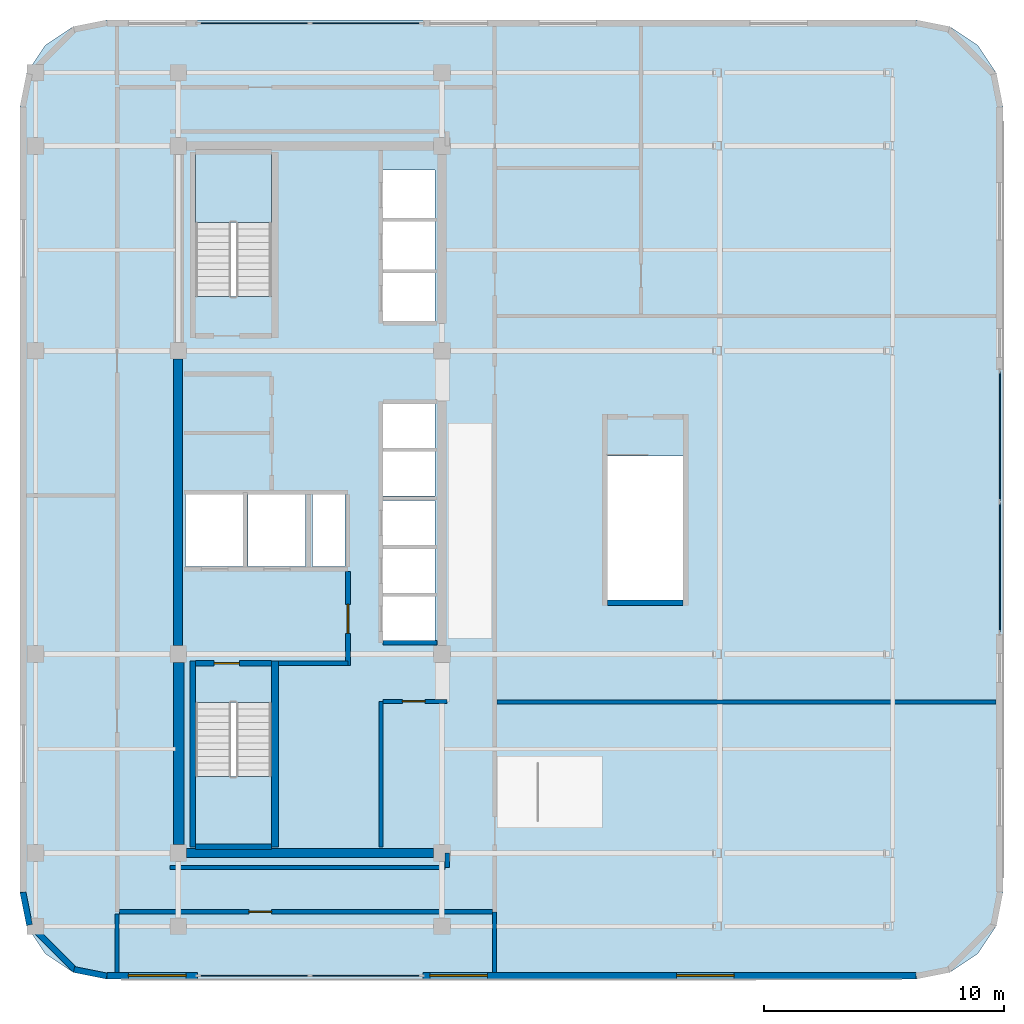
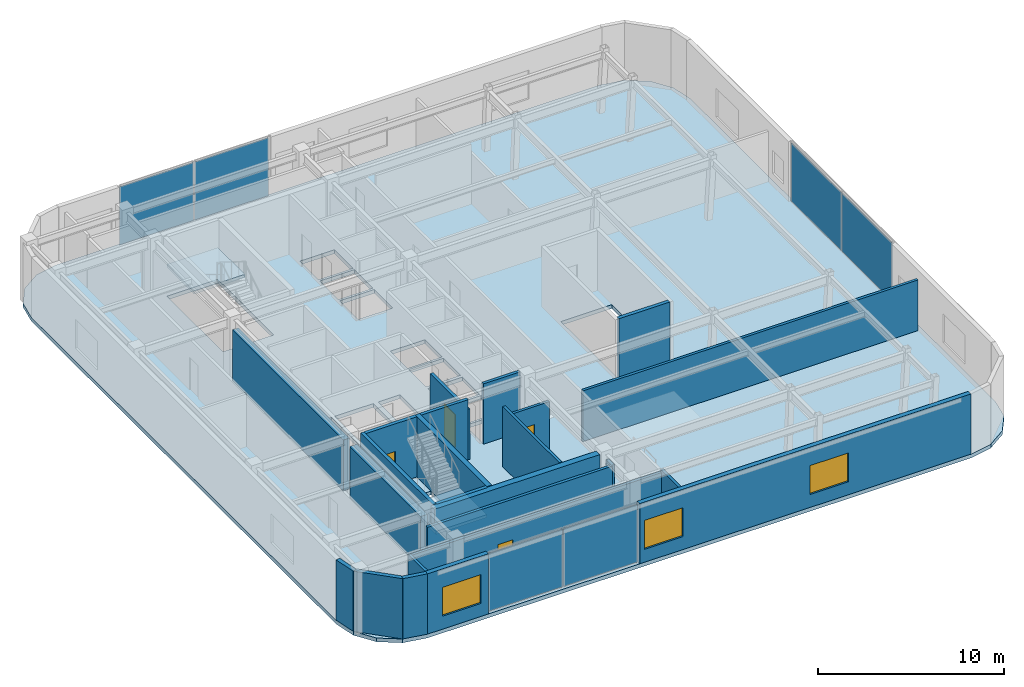
# One storey, part 5 of 11: 24 walls, 6 plates, 4 doors, 3 slabs, 3 windows, 7 openings, 5 elements without a shape of their own.
"""IFC4 building model written with IfcOpenShell, lengths in metres."""

from ifc_helpers import new_model, si_unit, direction, frame, frame_2d, origin, origin_2d, place, context, subcontext, project, spatial, polyline, rectangle, outline, extrude, material, layer, layer_set, type_object, element, fill, aggregate, save


model = new_model("IFC4")

# Units and contexts
model_context = context("Model", 3, precision=1e-05, world=origin(), true_north=direction((0.0, 1.0)))
body_context = subcontext(model_context, "Body", "Model", "MODEL_VIEW")
ifc_project = project(units=[si_unit("LENGTHUNIT", "METRE"), si_unit("AREAUNIT", "SQUARE_METRE"), si_unit("VOLUMEUNIT", "CUBIC_METRE"), si_unit("PLANEANGLEUNIT", "RADIAN"), si_unit("MASSUNIT", "GRAM", prefix="KILO")], contexts=[model_context])

# Site, building, storey
site_placement = place(None, origin())
site = spatial("IfcSite", under=ifc_project, at=site_placement, CompositionType="ELEMENT")
building_placement = place(site_placement, origin())
building = spatial("IfcBuilding", under=site, at=building_placement, Name="Ochreholt Gables", CompositionType="ELEMENT")
storey_placement = place(building_placement, frame((0.0, 0.0, 192.0)))
storey = spatial("IfcBuildingStorey", under=building, at=storey_placement, Name="L50", CompositionType="ELEMENT", Elevation=192.0)

# Curtain wall, plates
ifc_material_1 = material(Name="Unitised Aluminium and Triple Glazing", Category="aluminium")
ifc_layer_1 = layer(ifc_material_1, 0.219970703125, Name="Unitised Aluminium and Triple Glazing")
ifc_layer_set_1 = layer_set([ifc_layer_1], Name="Unitised Aluminium and Triple Glazing")
curtain_wall_type = type_object("IfcCurtainWallType", Name="CW-SYS6", PredefinedType="NOTDEFINED", material=ifc_layer_set_1)
curtain_wall_1_placement = place(storey_placement, origin())
curtain_wall_1 = element("IfcCurtainWall", 1, at=curtain_wall_1_placement, inside=storey, type_object=curtain_wall_type, Name="L50 South Unitised Curtain Wall", PredefinedType="NOTDEFINED")
ifc_material_2 = material(Name="Triple Low-E Insulating Glass", Category="glass")
ifc_layer_2 = layer(ifc_material_2, 0.0419921875, Name="Triple Low-E Insulating Glass")
ifc_layer_set_2 = layer_set([ifc_layer_2], Name="Triple Low-E Insulating Glass")
plate_type = type_object("IfcPlateType", Name="CW-PNL-42", PredefinedType="CURTAIN_PANEL", material=ifc_layer_set_2)
plate_1_placement = place(storey_placement, frame((27.36865234375, 4.139892578125, 0.074951171875), z_axis=(0.0, 0.0, 1.0), x_axis=(1.0, 0.0, 0.0)))
plate_1 = element("IfcPlate", 2, at=plate_1_placement, type_object=plate_type, Name="CW-6 panel 1.1", PredefinedType="CURTAIN_PANEL", context=body_context, shape_type="SweptSolid", body=[
    extrude(rectangle(XDim=4.58740234375, YDim=0.0419921875, at=origin_2d()), origin(), (0.0, 0.0, 1.0), 3.81005859375),
])
plate_2_placement = place(storey_placement, frame((32.03125, 4.139892578125, 0.074951171875), z_axis=(0.0, 0.0, 1.0), x_axis=(1.0, 0.0, 0.0)))
plate_2 = element("IfcPlate", 3, at=plate_2_placement, type_object=plate_type, Name="CW-6 panel 2.1", PredefinedType="CURTAIN_PANEL", context=body_context, shape_type="SweptSolid", body=[
    extrude(rectangle(XDim=4.58740234375, YDim=0.0419921875, at=origin_2d()), origin(), (0.0, 0.0, 1.0), 3.81005859375),
])
aggregate(curtain_wall_1, [plate_1, plate_2])

curtain_wall_2_placement = place(storey_placement, origin())
curtain_wall_2 = element("IfcCurtainWall", 4, at=curtain_wall_2_placement, inside=storey, type_object=curtain_wall_type, Name="L50 East Unitised Curtain Wall", PredefinedType="NOTDEFINED")
plate_3_placement = place(storey_placement, frame((58.4599609375, 21.168701171875, 0.074951171875), z_axis=(0.0, 0.0, 1.0), x_axis=(0.0, 1.0, 0.0)))
plate_3 = element("IfcPlate", 5, at=plate_3_placement, type_object=plate_type, Name="CW-6 panel 1.1", PredefinedType="CURTAIN_PANEL", context=body_context, shape_type="SweptSolid", body=[
    extrude(rectangle(XDim=5.387451171875, YDim=0.0419921875, at=origin_2d()), origin(), (0.0, 0.0, 1.0), 3.81005859375),
])
plate_4_placement = place(storey_placement, frame((58.4599609375, 26.63134765625, 0.074951171875), z_axis=(0.0, 0.0, 1.0), x_axis=(0.0, 1.0, 0.0)))
plate_4 = element("IfcPlate", 6, at=plate_4_placement, type_object=plate_type, Name="CW-6 panel 2.1", PredefinedType="CURTAIN_PANEL", context=body_context, shape_type="SweptSolid", body=[
    extrude(rectangle(XDim=5.387451171875, YDim=0.0419921875, at=origin_2d()), origin(), (0.0, 0.0, 1.0), 3.81005859375),
])
aggregate(curtain_wall_2, [plate_3, plate_4])

curtain_wall_3_placement = place(storey_placement, origin())
curtain_wall_3 = element("IfcCurtainWall", 7, at=curtain_wall_3_placement, inside=storey, type_object=curtain_wall_type, Name="L50 North Unitised Curtain Wall", PredefinedType="NOTDEFINED")
plate_5_placement = place(storey_placement, frame((32.03125, 43.860107421875, 0.074951171875), z_axis=(0.0, 0.0, 1.0), x_axis=(-1.0, 0.0, 0.0)))
plate_5 = element("IfcPlate", 8, at=plate_5_placement, type_object=plate_type, Name="CW-6 panel 1.1", PredefinedType="CURTAIN_PANEL", context=body_context, shape_type="SweptSolid", body=[
    extrude(rectangle(XDim=4.58740234375, YDim=0.0419921875, at=origin_2d()), origin(), (0.0, 0.0, 1.0), 3.81005859375),
])
plate_6_placement = place(storey_placement, frame((27.36865234375, 43.860107421875, 0.074951171875), z_axis=(0.0, 0.0, 1.0), x_axis=(-1.0, 0.0, 0.0)))
plate_6 = element("IfcPlate", 9, at=plate_6_placement, type_object=plate_type, Name="CW-6 panel 2.1", PredefinedType="CURTAIN_PANEL", context=body_context, shape_type="SweptSolid", body=[
    extrude(rectangle(XDim=4.58740234375, YDim=0.0419921875, at=origin_2d()), origin(), (0.0, 0.0, 1.0), 3.81005859375),
])
aggregate(curtain_wall_3, [plate_5, plate_6])

# Stair, slab
ifc_material_3 = material(Name="Concrete 40 MPa", Category="concrete")
stair_type_1 = type_object("IfcStairType", Name="STAIR-CORE-ST-1", PredefinedType="HALF_TURN_STAIR", material=ifc_material_3)
stair_1_placement = place(storey_placement, origin())
stair_1 = element("IfcStair", 10, at=stair_1_placement, inside=storey, type_object=stair_type_1, Name="L50 Core Exit Stair 1", PredefinedType="HALF_TURN_STAIR")
ifc_layer_3 = layer(ifc_material_3, 0.199951171875, Name="Concrete 40 MPa")
ifc_layer_set_3 = layer_set([ifc_layer_3], Name="Concrete 40 MPa")
slab_type_1 = type_object("IfcSlabType", Name="LANDING-RC200", PredefinedType="LANDING", material=ifc_layer_set_3)
slab_1_placement = place(storey_placement, frame((0.0, 0.0, 1.89990234375)))
slab_1 = element("IfcSlab", 11, at=slab_1_placement, type_object=slab_type_1, Name="ST-1 landing 1", PredefinedType="LANDING", context=body_context, shape_type="SweptSolid", body=[
    extrude(outline(polyline([(24.919921875, 12.43798828125), (24.919921875, 9.52001953125), (28.080078125, 9.52001953125), (28.080078125, 12.43798828125), (24.919921875, 12.43798828125)])), origin(), (0.0, 0.0, 1.0), 0.2001953125),
])
aggregate(stair_1, [slab_1])

stair_type_2 = type_object("IfcStairType", Name="STAIR-CORE-ST-2", PredefinedType="HALF_TURN_STAIR", material=ifc_material_3)
stair_2_placement = place(storey_placement, origin())
stair_2 = element("IfcStair", 12, at=stair_2_placement, inside=storey, type_object=stair_type_2, Name="L50 Core Exit Stair 2", PredefinedType="HALF_TURN_STAIR")
slab_2_placement = place(storey_placement, frame((0.0, 0.0, 1.89990234375)))
slab_2 = element("IfcSlab", 13, at=slab_2_placement, type_object=slab_type_1, Name="ST-2 landing 1", PredefinedType="LANDING", context=body_context, shape_type="SweptSolid", body=[
    extrude(outline(polyline([(28.080078125, 35.56201171875), (28.080078125, 38.47998046875), (24.919921875, 38.47998046875), (24.919921875, 35.56201171875), (28.080078125, 35.56201171875)])), origin(), (0.0, 0.0, 1.0), 0.2001953125),
])
aggregate(stair_2, [slab_2])

# Slab
ifc_layer_4 = layer(ifc_material_3, 0.25, Name="Concrete 40 MPa")
ifc_layer_set_4 = layer_set([ifc_layer_4], Name="Concrete 40 MPa")
slab_type_2 = type_object("IfcSlabType", Name="SLAB-COM-250", PredefinedType="FLOOR", material=ifc_layer_set_4)
slab_3_placement = place(storey_placement, frame((0.0, 0.0, -0.25)))
element("IfcSlab", 14, at=slab_3_placement, inside=storey, type_object=slab_type_2, Name="L50 Structural Floor Slab", PredefinedType="FLOOR", context=body_context, shape_type="SweptSolid", body=[
    extrude(outline(polyline([(17.60009765625, 7.60009765625), (17.8740234375, 6.222412109375), (18.654296875, 5.054443359375), (19.822265625, 4.27392578125), (21.199951171875, 4.0), (55.0, 4.0), (56.377685546875, 4.27392578125), (57.545654296875, 5.054443359375), (58.325927734375, 6.222412109375), (58.60009765625, 7.60009765625), (58.60009765625, 40.39990234375), (58.325927734375, 41.777587890625), (57.545654296875, 42.945556640625), (56.377685546875, 43.72607421875), (55.0, 44.0), (21.199951171875, 44.0), (19.822265625, 43.72607421875), (18.654296875, 42.945556640625), (17.8740234375, 41.777587890625), (17.60009765625, 40.39990234375), (17.60009765625, 7.60009765625)]), holes=[polyline([(24.919921875, 15.539306640625), (24.919921875, 9.52001953125), (28.080078125, 9.52001953125), (28.080078125, 15.539306640625), (24.919921875, 15.539306640625)]), polyline([(28.080078125, 32.460693359375), (28.080078125, 38.47998046875), (24.919921875, 38.47998046875), (24.919921875, 32.460693359375), (28.080078125, 32.460693359375)]), polyline([(42.10009765625, 25.819091796875), (42.10009765625, 19.800048828125), (45.260009765625, 19.800048828125), (45.260009765625, 25.819091796875), (42.10009765625, 25.819091796875)]), polyline([(24.5, 21.199951171875), (26.89990234375, 21.199951171875), (26.89990234375, 24.199951171875), (24.5, 24.199951171875), (24.5, 21.199951171875)]), polyline([(27.10009765625, 21.199951171875), (29.5, 21.199951171875), (29.5, 24.199951171875), (27.10009765625, 24.199951171875), (27.10009765625, 21.199951171875)]), polyline([(32.75, 18.10009765625), (34.89990234375, 18.10009765625), (34.89990234375, 19.949951171875), (32.75, 19.949951171875), (32.75, 18.10009765625)]), polyline([(32.75, 20.10009765625), (34.89990234375, 20.10009765625), (34.89990234375, 21.949951171875), (32.75, 21.949951171875), (32.75, 20.10009765625)]), polyline([(32.75, 22.10009765625), (34.89990234375, 22.10009765625), (34.89990234375, 23.949951171875), (32.75, 23.949951171875), (32.75, 22.10009765625)]), polyline([(32.75, 24.14990234375), (34.89990234375, 24.14990234375), (34.89990234375, 26.0), (32.75, 26.0), (32.75, 24.14990234375)]), polyline([(32.75, 26.14990234375), (34.89990234375, 26.14990234375), (34.89990234375, 28.0), (32.75, 28.0), (32.75, 26.14990234375)]), polyline([(32.75, 31.449951171875), (34.89990234375, 31.449951171875), (34.89990234375, 33.449951171875), (32.75, 33.449951171875), (32.75, 31.449951171875)]), polyline([(32.75, 33.60009765625), (34.89990234375, 33.60009765625), (34.89990234375, 35.60009765625), (32.75, 35.60009765625), (32.75, 33.60009765625)]), polyline([(32.75, 35.75), (34.89990234375, 35.75), (34.89990234375, 37.75), (32.75, 37.75), (32.75, 35.75)]), polyline([(29.800048828125, 21.199951171875), (31.14990234375, 21.199951171875), (31.14990234375, 24.199951171875), (29.800048828125, 24.199951171875), (29.800048828125, 21.199951171875)])]), origin(), (0.0, 0.0, 1.0), 0.25),
])

# Walls
ifc_material_4 = material(Name="Concrete 50 MPa", Category="concrete")
ifc_layer_5 = layer(ifc_material_4, 0.3798828125, Name="Concrete 50 MPa")
ifc_layer_set_5 = layer_set([ifc_layer_5], Name="Concrete 50 MPa")
wall_type_1 = type_object("IfcWallType", Name="WALL-CSW-380", PredefinedType="SHEAR", material=ifc_layer_set_5)
wall_1_placement = place(storey_placement, frame((24.18994140625, 17.89990234375, 0.0), z_axis=(0.0, 0.0, 1.0), x_axis=(0.0, 1.0, 0.0)))
element("IfcWall", 15, at=wall_1_placement, inside=storey, type_object=wall_type_1, Name="L50 Core West Shear Wall WM", PredefinedType="SHEAR", context=body_context, shape_type="SweptSolid", body=[
    extrude(rectangle(XDim=11.9501953125, YDim=0.3798828125, at=frame_2d((5.97509765625, 0.0))), origin(), (0.0, 0.0, 1.0), 3.347900390625),
])
wall_2_placement = place(storey_placement, frame((24.550048828125, 9.25, 0.0), z_axis=(0.0, 0.0, 1.0), x_axis=(1.0, 0.0, 0.0)))
element("IfcWall", 16, at=wall_2_placement, inside=storey, type_object=wall_type_1, Name="L50 Core South Shear Wall", PredefinedType="SHEAR", context=body_context, shape_type="SweptSolid", body=[
    extrude(rectangle(XDim=10.300048828125, YDim=0.3798828125, at=frame_2d((5.14990234375, 0.0))), origin(), (0.0, 0.0, 1.0), 3.9599609375),
])
ifc_material_5 = material(Name="Concrete 60 MPa", Category="concrete")
ifc_layer_6 = layer(ifc_material_5, 0.449951171875, Name="Concrete 60 MPa")
ifc_layer_set_6 = layer_set([ifc_layer_6], Name="Concrete 60 MPa")
wall_type_2 = type_object("IfcWallType", Name="WALL-CSW-450", PredefinedType="SHEAR", material=ifc_layer_set_6)
wall_3_placement = place(storey_placement, frame((24.22509765625, 9.60009765625, 0.0), z_axis=(0.0, 0.0, 1.0), x_axis=(0.0, 1.0, 0.0)))
element("IfcWall", 17, at=wall_3_placement, inside=storey, type_object=wall_type_2, Name="L50 Core West Shear Wall WS", PredefinedType="SHEAR", context=body_context, shape_type="SweptSolid", body=[
    extrude(rectangle(XDim=7.599853515625, YDim=0.449951171875, at=frame_2d((3.7998046875, 0.0))), origin(), (0.0, 0.0, 1.0), 3.347900390625),
])

# Wall, opening, window
ifc_material_6 = material(Name="Precast concrete 40 MPa", Category="concrete")
ifc_layer_7 = layer(ifc_material_6, 0.280029296875, Name="Precast concrete 40 MPa")
ifc_layer_set_7 = layer_set([ifc_layer_7], Name="Precast concrete 40 MPa")
wall_type_3 = type_object("IfcWallType", Name="WALL-EXT-280", PredefinedType="SOLIDWALL", material=ifc_layer_set_7)
wall_4_placement = place(storey_placement, frame((21.219970703125, 4.139892578125, 0.0), z_axis=(0.0, 0.0, 1.0), x_axis=(1.0, 0.0, 0.0)))
wall_4 = element("IfcWall", 18, at=wall_4_placement, inside=storey, type_object=wall_type_3, Name="L50 South Facade Wall 1", PredefinedType="SOLIDWALL", context=body_context, shape_type="SweptSolid", body=[
    extrude(rectangle(XDim=3.780029296875, YDim=0.280029296875, at=frame_2d((1.89013671875, 0.0))), origin(), (0.0, 0.0, 1.0), 3.9599609375),
])
opening_1_placement = place(wall_4_placement, frame((0.905029296875, 0.0, 0.85009765625)))
opening_1 = element("IfcOpeningElement", 19, at=opening_1_placement, cuts=wall_4, Name="Opening WN-5", PredefinedType="OPENING", context=body_context, shape_type="SweptSolid", body=[
    extrude(rectangle(XDim=2.39990234375, YDim=1.89990234375, at=frame_2d((1.199951171875, 0.949951171875))), frame((0.0, 0.14990234375, 0.0), z_axis=(0.0, -1.0, 0.0), x_axis=(1.0, 0.0, 0.0)), (0.0, 0.0, 1.0), 0.300048828125),
])
ifc_material_7 = material(Name="Triple-Glazed Thermally Broken Aluminium Window", Category="aluminium")
window_type = type_object("IfcWindowType", Name="WIN-COM-2400", PartitioningType="SINGLE_PANEL", PredefinedType="WINDOW", material=ifc_material_7)
window_1_placement = place(opening_1_placement, origin())
window_1 = element("IfcWindow", 20, at=window_1_placement, inside=storey, type_object=window_type, Name="L50 Window W-EXT-S1-L50-1", OverallHeight=1.89990234375, OverallWidth=2.39990234375, PartitioningType="SINGLE_PANEL", PredefinedType="WINDOW", context=body_context, shape_type="SweptSolid", body=[
    extrude(rectangle(XDim=2.39990234375, YDim=1.89990234375, at=frame_2d((1.199951171875, 0.949951171875))), frame((0.0, 0.030029296875, 0.0), z_axis=(0.0, -1.0, 0.0), x_axis=(1.0, 0.0, 0.0)), (0.0, 0.0, 1.0), 0.06005859375),
])
fill(opening_1, window_1)

# Wall, openings, windows
wall_5_placement = place(storey_placement, frame((34.39990234375, 4.139892578125, 0.0), z_axis=(0.0, 0.0, 1.0), x_axis=(1.0, 0.0, 0.0)))
wall_5 = element("IfcWall", 21, at=wall_5_placement, inside=storey, type_object=wall_type_3, Name="L50 South Facade Wall 2", PredefinedType="SOLIDWALL", context=body_context, shape_type="SweptSolid", body=[
    extrude(rectangle(XDim=20.580078125, YDim=0.280029296875, at=frame_2d((10.2900390625, 0.0))), origin(), (0.0, 0.0, 1.0), 3.9599609375),
])
opening_2_placement = place(wall_5_placement, frame((0.300048828125, 0.0, 0.85009765625)))
opening_2 = element("IfcOpeningElement", 22, at=opening_2_placement, cuts=wall_5, Name="Opening WN-5", PredefinedType="OPENING", context=body_context, shape_type="SweptSolid", body=[
    extrude(rectangle(XDim=2.39990234375, YDim=1.89990234375, at=frame_2d((1.199951171875, 0.949951171875))), frame((0.0, 0.14990234375, 0.0), z_axis=(0.0, -1.0, 0.0), x_axis=(1.0, 0.0, 0.0)), (0.0, 0.0, 1.0), 0.300048828125),
])
opening_3_placement = place(wall_5_placement, frame((10.590087890625, 0.0, 0.85009765625)))
opening_3 = element("IfcOpeningElement", 23, at=opening_3_placement, cuts=wall_5, Name="Opening WN-5", PredefinedType="OPENING", context=body_context, shape_type="SweptSolid", body=[
    extrude(rectangle(XDim=2.39990234375, YDim=1.89990234375, at=frame_2d((1.199951171875, 0.949951171875))), frame((0.0, 0.14990234375, 0.0), z_axis=(0.0, -1.0, 0.0), x_axis=(1.0, 0.0, 0.0)), (0.0, 0.0, 1.0), 0.300048828125),
])
window_2_placement = place(opening_2_placement, origin())
window_2 = element("IfcWindow", 24, at=window_2_placement, inside=storey, type_object=window_type, Name="L50 Window W-EXT-S2-L50-1", OverallHeight=1.89990234375, OverallWidth=2.39990234375, PartitioningType="SINGLE_PANEL", PredefinedType="WINDOW", context=body_context, shape_type="SweptSolid", body=[
    extrude(rectangle(XDim=2.39990234375, YDim=1.89990234375, at=frame_2d((1.199951171875, 0.949951171875))), frame((0.0, 0.030029296875, 0.0), z_axis=(0.0, -1.0, 0.0), x_axis=(1.0, 0.0, 0.0)), (0.0, 0.0, 1.0), 0.06005859375),
])
fill(opening_2, window_2)
window_3_placement = place(opening_3_placement, origin())
window_3 = element("IfcWindow", 25, at=window_3_placement, inside=storey, type_object=window_type, Name="L50 Window W-EXT-S2-L50-2", OverallHeight=1.89990234375, OverallWidth=2.39990234375, PartitioningType="SINGLE_PANEL", PredefinedType="WINDOW", context=body_context, shape_type="SweptSolid", body=[
    extrude(rectangle(XDim=2.39990234375, YDim=1.89990234375, at=frame_2d((1.199951171875, 0.949951171875))), frame((0.0, 0.030029296875, 0.0), z_axis=(0.0, -1.0, 0.0), x_axis=(1.0, 0.0, 0.0)), (0.0, 0.0, 1.0), 0.06005859375),
])
fill(opening_3, window_3)

# Walls
ifc_layer_8 = layer(ifc_material_6, 0.25, Name="Precast concrete 40 MPa")
ifc_layer_set_8 = layer_set([ifc_layer_8], Name="Precast concrete 40 MPa")
wall_type_4 = type_object("IfcWallType", Name="WALL-EXT-CNR", PredefinedType="SOLIDWALL", material=ifc_layer_set_8)
wall_6_placement = place(storey_placement, frame((17.72412109375, 7.616455078125, 0.0), z_axis=(0.0, 0.0, 1.0), x_axis=(0.195135625965, -0.9807762678, 0.0)))
element("IfcWall", 26, at=wall_6_placement, inside=storey, type_object=wall_type_4, Name="L50 Rounded Corner Wall SW-1", PredefinedType="SOLIDWALL", context=body_context, shape_type="SweptSolid", body=[
    extrude(rectangle(XDim=1.388671875, YDim=0.25, at=frame_2d((0.6943359375, 0.0))), origin(), (0.0, 0.0, 1.0), 3.9599609375),
])
wall_7_placement = place(storey_placement, frame((17.968017578125, 6.304931640625, 0.0), z_axis=(0.0, 0.0, 1.0), x_axis=(0.707106781187, -0.707106781187, 0.0)))
element("IfcWall", 27, at=wall_7_placement, inside=storey, type_object=wall_type_4, Name="L50 Rounded Corner Wall SW-2", PredefinedType="SOLIDWALL", context=body_context, shape_type="SweptSolid", body=[
    extrude(rectangle(XDim=2.7392578125, YDim=0.25, at=frame_2d((1.36962890625, 0.0))), origin(), (0.0, 0.0, 1.0), 3.9599609375),
])
wall_8_placement = place(storey_placement, frame((19.8544921875, 4.39501953125, 0.0), z_axis=(0.0, 0.0, 1.0), x_axis=(0.980809899341, -0.19496651342, 0.0)))
element("IfcWall", 28, at=wall_8_placement, inside=storey, type_object=wall_type_4, Name="L50 Rounded Corner Wall SW-3", PredefinedType="SOLIDWALL", context=body_context, shape_type="SweptSolid", body=[
    extrude(rectangle(XDim=1.388671875, YDim=0.25, at=frame_2d((0.6943359375, 0.0))), origin(), (0.0, 0.0, 1.0), 3.9599609375),
])
ifc_layer_9 = layer(ifc_material_3, 0.199951171875, Name="Concrete 40 MPa")
ifc_layer_set_9 = layer_set([ifc_layer_9], Name="Concrete 40 MPa")
wall_type_5 = type_object("IfcWallType", Name="WALL-INT-CF200", PredefinedType="STANDARD", material=ifc_layer_set_9)
wall_9_placement = place(storey_placement, frame((28.3798828125, 17.169921875, 0.0), z_axis=(0.0, 0.0, 1.0), x_axis=(1.0, 0.0, 0.0)))
element("IfcWall", 29, at=wall_9_placement, inside=storey, type_object=wall_type_5, Name="L50 Interior Wall WI-FFS-L50", PredefinedType="STANDARD", context=body_context, shape_type="SweptSolid", body=[
    extrude(rectangle(XDim=2.900146484375, YDim=0.199951171875, at=frame_2d((1.4501953125, 0.0))), origin(), (0.0, 0.0, 1.0), 3.9599609375),
])

# Wall, opening, door
wall_10_placement = place(storey_placement, frame((31.280029296875, 17.070068359375, 0.0), z_axis=(0.0, 0.0, 1.0), x_axis=(0.0, 1.0, 0.0)))
wall_10 = element("IfcWall", 30, at=wall_10_placement, inside=storey, type_object=wall_type_5, Name="L50 Interior Wall WI-FFE-L50", PredefinedType="STANDARD", context=body_context, shape_type="SweptSolid", body=[
    extrude(rectangle(XDim=3.919921875, YDim=0.199951171875, at=frame_2d((1.9599609375, 0.0))), origin(), (0.0, 0.0, 1.0), 3.330078125),
])
opening_4_placement = place(wall_10_placement, frame((1.35009765625, 0.0, 0.0)))
opening_4 = element("IfcOpeningElement", 31, at=opening_4_placement, cuts=wall_10, Name="Opening D-FFL", PredefinedType="OPENING", context=body_context, shape_type="SweptSolid", body=[
    extrude(rectangle(XDim=1.199951171875, YDim=2.14990234375, at=frame_2d((0.60009765625, 1.074951171875))), frame((0.0, 0.10986328125, 0.0), z_axis=(0.0, -1.0, 0.0), x_axis=(1.0, 0.0, 0.0)), (0.0, 0.0, 1.0), 0.219970703125),
])
ifc_material_8 = material(Name="Hollow Metal Steel", Category="steel")
door_type_1 = type_object("IfcDoorType", Name="DR-INT-FFL1200", OperationType="NOTDEFINED", PredefinedType="DOOR", material=ifc_material_8)
door_1_placement = place(opening_4_placement, origin())
door_1 = element("IfcDoor", 32, at=door_1_placement, inside=storey, type_object=door_type_1, Name="L50 Door D-FFL-L50", OperationType="SINGLE_SWING_LEFT", OverallHeight=2.14990234375, OverallWidth=1.199951171875, PredefinedType="DOOR", context=body_context, shape_type="SweptSolid", body=[
    extrude(rectangle(XDim=1.199951171875, YDim=2.14990234375, at=frame_2d((0.60009765625, 1.074951171875))), frame((0.0, 0.02490234375, 0.0), z_axis=(0.0, -1.0, 0.0), x_axis=(1.0, 0.0, 0.0)), (0.0, 0.0, 1.0), 0.050048828125),
])
fill(opening_4, door_1)

# Wall
ifc_material_9 = material(Name="Fire-Rated Gypsum Acoustic Partition", Category="gypsum")
ifc_layer_10 = layer(ifc_material_9, 0.179931640625, Name="Fire-Rated Gypsum Acoustic Partition")
ifc_layer_set_10 = layer_set([ifc_layer_10], Name="Fire-Rated Gypsum Acoustic Partition")
wall_type_6 = type_object("IfcWallType", Name="WALL-INT-CR180", PredefinedType="STANDARD", material=ifc_layer_set_10)
wall_11_placement = place(storey_placement, frame((35.419921875, 8.64990234375, 0.0), z_axis=(0.0, 0.0, 1.0), x_axis=(0.0, 1.0, 0.0)))
element("IfcWall", 33, at=wall_11_placement, inside=storey, type_object=wall_type_6, Name="L50 Interior Wall WI-CMCSW1-L50", PredefinedType="STANDARD", context=body_context, shape_type="SweptSolid", body=[
    extrude(rectangle(XDim=0.60009765625, YDim=0.179931640625, at=frame_2d((0.300048828125, 0.0))), origin(), (0.0, 0.0, 1.0), 3.330078125),
])

# Wall, opening, door
wall_12_placement = place(storey_placement, frame((21.739990234375, 6.800048828125, 0.0), z_axis=(0.0, 0.0, 1.0), x_axis=(1.0, 0.0, 0.0)))
wall_12 = element("IfcWall", 34, at=wall_12_placement, inside=storey, type_object=wall_type_6, Name="L50 Interior Wall WI-CMCS-L50", PredefinedType="STANDARD", context=body_context, shape_type="SweptSolid", body=[
    extrude(rectangle(XDim=15.570068359375, YDim=0.179931640625, at=frame_2d((7.78515625, 0.0))), origin(), (0.0, 0.0, 1.0), 3.330078125),
])
opening_5_placement = place(wall_12_placement, frame((5.409912109375, 0.0, 0.0)))
opening_5 = element("IfcOpeningElement", 35, at=opening_5_placement, cuts=wall_12, Name="Opening D-GN1", PredefinedType="OPENING", context=body_context, shape_type="SweptSolid", body=[
    extrude(rectangle(XDim=0.949951171875, YDim=2.14990234375, at=frame_2d((0.47509765625, 1.074951171875))), frame((0.0, 0.099853515625, 0.0), z_axis=(0.0, -1.0, 0.0), x_axis=(1.0, 0.0, 0.0)), (0.0, 0.0, 1.0), 0.199951171875),
])
ifc_material_10 = material(Name="Engineered Oak Timber", Category="wood")
door_type_2 = type_object("IfcDoorType", Name="DR-INT-GEN950", OperationType="NOTDEFINED", PredefinedType="DOOR", material=ifc_material_10)
door_2_placement = place(opening_5_placement, origin())
door_2 = element("IfcDoor", 36, at=door_2_placement, inside=storey, type_object=door_type_2, Name="L50 Door D-CMCS-L50", OperationType="SINGLE_SWING_LEFT", OverallHeight=2.14990234375, OverallWidth=0.949951171875, PredefinedType="DOOR", context=body_context, shape_type="SweptSolid", body=[
    extrude(rectangle(XDim=0.949951171875, YDim=2.14990234375, at=frame_2d((0.47509765625, 1.074951171875))), frame((0.0, 0.02490234375, 0.0), z_axis=(0.0, -1.0, 0.0), x_axis=(1.0, 0.0, 0.0)), (0.0, 0.0, 1.0), 0.050048828125),
])
fill(opening_5, door_2)

# Walls
wall_13_placement = place(storey_placement, frame((23.85009765625, 8.64990234375, 0.0), z_axis=(0.0, 0.0, 1.0), x_axis=(1.0, 0.0, 0.0)))
element("IfcWall", 37, at=wall_13_placement, inside=storey, type_object=wall_type_6, Name="L50 Interior Wall WI-CMCS2-L50", PredefinedType="STANDARD", context=body_context, shape_type="SweptSolid", body=[
    extrude(rectangle(XDim=11.47998046875, YDim=0.179931640625, at=frame_2d((5.739990234375, 0.0))), origin(), (0.0, 0.0, 1.0), 3.330078125),
])
ifc_material_11 = material(Name="Gypsum Acoustic Stud Partition", Category="gypsum")
ifc_layer_11 = layer(ifc_material_11, 0.1650390625, Name="Gypsum Acoustic Stud Partition")
ifc_layer_set_11 = layer_set([ifc_layer_11], Name="Gypsum Acoustic Stud Partition")
wall_type_7 = type_object("IfcWallType", Name="WALL-INT-PT165", PredefinedType="PARTITIONING", material=ifc_layer_set_11)
wall_14_placement = place(storey_placement, frame((37.39990234375, 4.280029296875, 0.0), z_axis=(0.0, 0.0, 1.0), x_axis=(0.0, 1.0, 0.0)))
element("IfcWall", 38, at=wall_14_placement, inside=storey, type_object=wall_type_7, Name="L50 Interior Wall WI-CMCES-L50", PredefinedType="PARTITIONING", context=body_context, shape_type="SweptSolid", body=[
    extrude(rectangle(XDim=2.52001953125, YDim=0.1650390625, at=frame_2d((1.260009765625, 0.0))), origin(), (0.0, 0.0, 1.0), 3.47900390625),
])
wall_15_placement = place(storey_placement, frame((37.489990234375, 15.550048828125, 0.0), z_axis=(0.0, 0.0, 1.0), x_axis=(1.0, 0.0, 0.0)))
element("IfcWall", 39, at=wall_15_placement, inside=storey, type_object=wall_type_7, Name="L50 Interior Wall WI-CME1-L50", PredefinedType="PARTITIONING", context=body_context, shape_type="SweptSolid", body=[
    extrude(rectangle(XDim=20.830078125, YDim=0.1650390625, at=frame_2d((10.4150390625, 0.0))), origin(), (0.0, 0.0, 1.0), 3.330078125),
])
wall_16_placement = place(storey_placement, frame((32.64990234375, 9.5, 0.0), z_axis=(0.0, 0.0, 1.0), x_axis=(0.0, 1.0, 0.0)))
element("IfcWall", 40, at=wall_16_placement, inside=storey, type_object=wall_type_7, Name="L50 Interior Wall WI-CMRCLW-L50", PredefinedType="PARTITIONING", context=body_context, shape_type="SweptSolid", body=[
    extrude(rectangle(XDim=6.080078125, YDim=0.1650390625, at=frame_2d((3.0400390625, 0.0))), origin(), (0.0, 0.0, 1.0), 3.9599609375),
])

# Wall, opening, door
wall_17_placement = place(storey_placement, frame((32.732421875, 15.580078125, 0.0), z_axis=(0.0, 0.0, 1.0), x_axis=(1.0, 0.0, 0.0)))
wall_17 = element("IfcWall", 41, at=wall_17_placement, inside=storey, type_object=wall_type_7, Name="L50 Interior Wall WI-CMRCLN-L50", PredefinedType="PARTITIONING", context=body_context, shape_type="SweptSolid", body=[
    extrude(rectangle(XDim=2.6875, YDim=0.1650390625, at=frame_2d((1.34375, 0.0))), origin(), (0.0, 0.0, 1.0), 3.330078125),
])
opening_6_placement = place(wall_17_placement, frame((0.8173828125, 0.0, 0.0)))
opening_6 = element("IfcOpeningElement", 42, at=opening_6_placement, cuts=wall_17, Name="Opening D-GN1", PredefinedType="OPENING", context=body_context, shape_type="SweptSolid", body=[
    extrude(rectangle(XDim=0.949951171875, YDim=2.14990234375, at=frame_2d((0.47509765625, 1.074951171875))), frame((0.0, 0.092529296875, 0.0), z_axis=(0.0, -1.0, 0.0), x_axis=(1.0, 0.0, 0.0)), (0.0, 0.0, 1.0), 0.18505859375),
])
door_3_placement = place(opening_6_placement, origin())
door_3 = element("IfcDoor", 43, at=door_3_placement, inside=storey, type_object=door_type_2, Name="L50 Door D-CMRCL-L50", OperationType="SINGLE_SWING_LEFT", OverallHeight=2.14990234375, OverallWidth=0.949951171875, PredefinedType="DOOR", context=body_context, shape_type="SweptSolid", body=[
    extrude(rectangle(XDim=0.949951171875, YDim=2.14990234375, at=frame_2d((0.47509765625, 1.074951171875))), frame((0.0, 0.02490234375, 0.0), z_axis=(0.0, -1.0, 0.0), x_axis=(1.0, 0.0, 0.0)), (0.0, 0.0, 1.0), 0.050048828125),
])
fill(opening_6, door_3)

# Walls
wall_18_placement = place(storey_placement, frame((21.64990234375, 4.280029296875, 0.0), z_axis=(0.0, 0.0, 1.0), x_axis=(0.0, 1.0, 0.0)))
element("IfcWall", 44, at=wall_18_placement, inside=storey, type_object=wall_type_7, Name="L50 Interior Wall WI-CMCWS-L50", PredefinedType="PARTITIONING", context=body_context, shape_type="SweptSolid", body=[
    extrude(rectangle(XDim=2.429931640625, YDim=0.1650390625, at=frame_2d((1.21484375, 0.0))), origin(), (0.0, 0.0, 1.0), 3.47900390625),
])
ifc_material_12 = material(Name="Gypsum Shaftliner and Steel Stud", Category="steel")
ifc_layer_12 = layer(ifc_material_12, 0.179931640625, Name="Gypsum Shaftliner and Steel Stud")
ifc_layer_set_12 = layer_set([ifc_layer_12], Name="Gypsum Shaftliner and Steel Stud")
wall_type_8 = type_object("IfcWallType", Name="WALL-INT-SH180", PredefinedType="STANDARD", material=ifc_layer_set_12)
wall_19_placement = place(storey_placement, frame((32.739990234375, 18.02001953125, 0.0), z_axis=(0.0, 0.0, 1.0), x_axis=(1.0, 0.0, 0.0)))
element("IfcWall", 45, at=wall_19_placement, inside=storey, type_object=wall_type_8, Name="L50 Interior Wall WI-LFHE-S-L50", PredefinedType="STANDARD", context=body_context, shape_type="SweptSolid", body=[
    extrude(rectangle(XDim=2.260009765625, YDim=0.179931640625, at=frame_2d((1.1298828125, 0.0))), origin(), (0.0, 0.0, 1.0), 3.9599609375),
])
ifc_layer_13 = layer(ifc_material_5, 0.300048828125, Name="Concrete 60 MPa")
ifc_layer_set_13 = layer_set([ifc_layer_13], Name="Concrete 60 MPa")
wall_type_9 = type_object("IfcWallType", Name="WALL-SPN-300", PredefinedType="SHEAR", material=ifc_layer_set_13)
wall_20_placement = place(storey_placement, frame((28.22998046875, 9.5, 0.0), z_axis=(0.0, 0.0, 1.0), x_axis=(0.0, 1.0, 0.0)))
element("IfcWall", 46, at=wall_20_placement, inside=storey, type_object=wall_type_9, Name="L50 Core South Spine Shear Wall", PredefinedType="SHEAR", context=body_context, shape_type="SweptSolid", body=[
    extrude(rectangle(XDim=7.760009765625, YDim=0.300048828125, at=frame_2d((3.8798828125, 0.0))), origin(), (0.0, 0.0, 1.0), 3.9599609375),
])
ifc_layer_14 = layer(ifc_material_4, 0.219970703125, Name="Concrete 50 MPa")
ifc_layer_set_14 = layer_set([ifc_layer_14], Name="Concrete 50 MPa")
wall_type_10 = type_object("IfcWallType", Name="WALL-STW-220", PredefinedType="SHEAR", material=ifc_layer_set_14)
wall_21_placement = place(storey_placement, frame((24.81005859375, 9.5, 0.0), z_axis=(0.0, 0.0, 1.0), x_axis=(0.0, 1.0, 0.0)))
element("IfcWall", 47, at=wall_21_placement, inside=storey, type_object=wall_type_10, Name="L50 Exit Stair 1 West Wall", PredefinedType="SHEAR", context=body_context, shape_type="SweptSolid", body=[
    extrude(rectangle(XDim=7.760009765625, YDim=0.219970703125, at=frame_2d((3.8798828125, 0.0))), origin(), (0.0, 0.0, 1.0), 3.9599609375),
])
wall_22_placement = place(storey_placement, frame((24.919921875, 9.510009765625, 0.0), z_axis=(0.0, 0.0, 1.0), x_axis=(1.0, 0.0, 0.0)))
element("IfcWall", 48, at=wall_22_placement, inside=storey, type_object=wall_type_10, Name="L50 Exit Stair 1 South Wall", PredefinedType="SHEAR", context=body_context, shape_type="SweptSolid", body=[
    extrude(rectangle(XDim=3.16015625, YDim=0.219970703125, at=frame_2d((1.580078125, 0.0))), origin(), (0.0, 0.0, 1.0), 3.9599609375),
])

# Wall, opening, door
wall_23_placement = place(storey_placement, frame((24.919921875, 17.169921875, 0.0), z_axis=(0.0, 0.0, 1.0), x_axis=(1.0, 0.0, 0.0)))
wall_23 = element("IfcWall", 49, at=wall_23_placement, inside=storey, type_object=wall_type_10, Name="L50 Exit Stair 1 North Wall", PredefinedType="SHEAR", context=body_context, shape_type="SweptSolid", body=[
    extrude(rectangle(XDim=3.16015625, YDim=0.219970703125, at=frame_2d((1.580078125, 0.0))), origin(), (0.0, 0.0, 1.0), 3.9599609375),
])
opening_7_placement = place(wall_23_placement, frame((0.780029296875, 0.0, 0.0)))
opening_7 = element("IfcOpeningElement", 50, at=opening_7_placement, cuts=wall_23, Name="Opening D-STC", PredefinedType="OPENING", context=body_context, shape_type="SweptSolid", body=[
    extrude(rectangle(XDim=1.050048828125, YDim=2.14990234375, at=frame_2d((0.52490234375, 1.074951171875))), frame((0.0, 0.119873046875, 0.0), z_axis=(0.0, -1.0, 0.0), x_axis=(1.0, 0.0, 0.0)), (0.0, 0.0, 1.0), 0.239990234375),
])
door_type_3 = type_object("IfcDoorType", Name="DR-INT-ST1050", OperationType="NOTDEFINED", PredefinedType="DOOR", material=ifc_material_8)
door_4_placement = place(opening_7_placement, frame((1.050048828125, 0.0, 0.0), z_axis=(0.0, 0.0, 1.0), x_axis=(-1.0, 0.0, 0.0)))
door_4 = element("IfcDoor", 51, at=door_4_placement, inside=storey, type_object=door_type_3, Name="L50 Door D-ST1-L50", OperationType="SINGLE_SWING_LEFT", OverallHeight=2.14990234375, OverallWidth=1.050048828125, PredefinedType="DOOR", context=body_context, shape_type="SweptSolid", body=[
    extrude(rectangle(XDim=1.050048828125, YDim=2.14990234375, at=frame_2d((0.52490234375, 1.074951171875))), frame((0.0, 0.02490234375, 0.0), z_axis=(0.0, -1.0, 0.0), x_axis=(1.0, 0.0, 0.0)), (0.0, 0.0, 1.0), 0.050048828125),
])
fill(opening_7, door_4)

# Wall
wall_24_placement = place(storey_placement, frame((42.10009765625, 19.68994140625, 0.0), z_axis=(0.0, 0.0, 1.0), x_axis=(1.0, 0.0, 0.0)))
element("IfcWall", 52, at=wall_24_placement, inside=storey, type_object=wall_type_10, Name="L50 Feature Stair ST-C5 South Wall", PredefinedType="SHEAR", context=body_context, shape_type="SweptSolid", body=[
    extrude(rectangle(XDim=3.159912109375, YDim=0.219970703125, at=frame_2d((1.580078125, 0.0))), origin(), (0.0, 0.0, 1.0), 3.9599609375),
])

save(model, "model.ifc")
